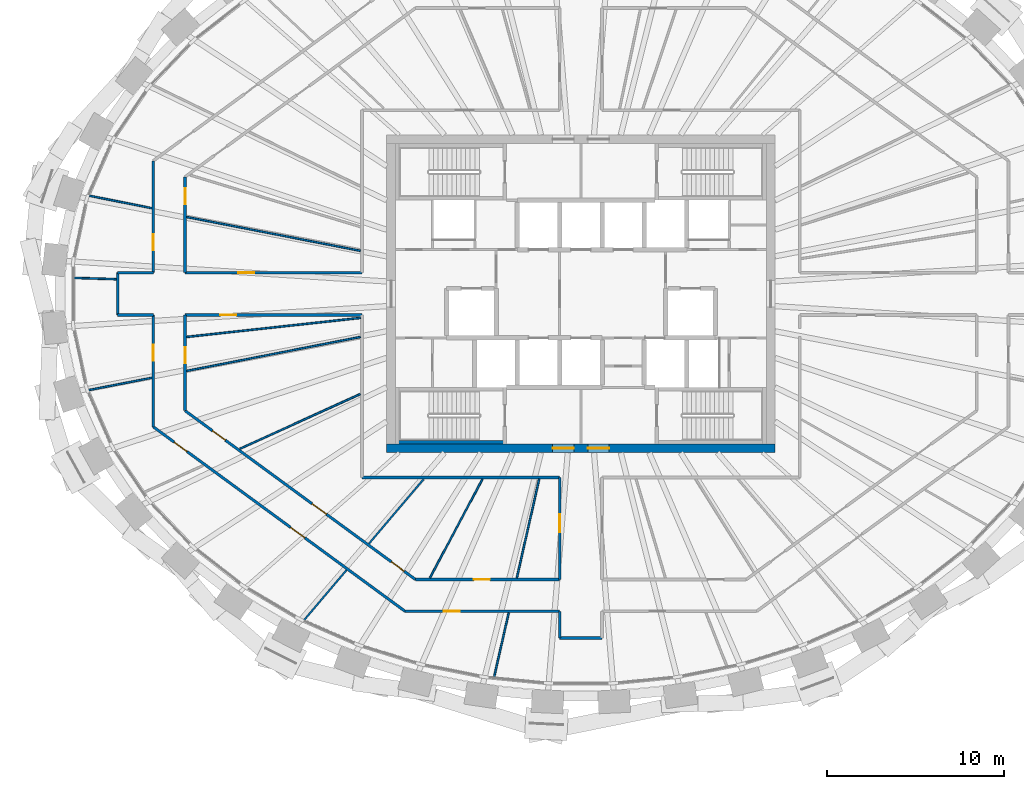
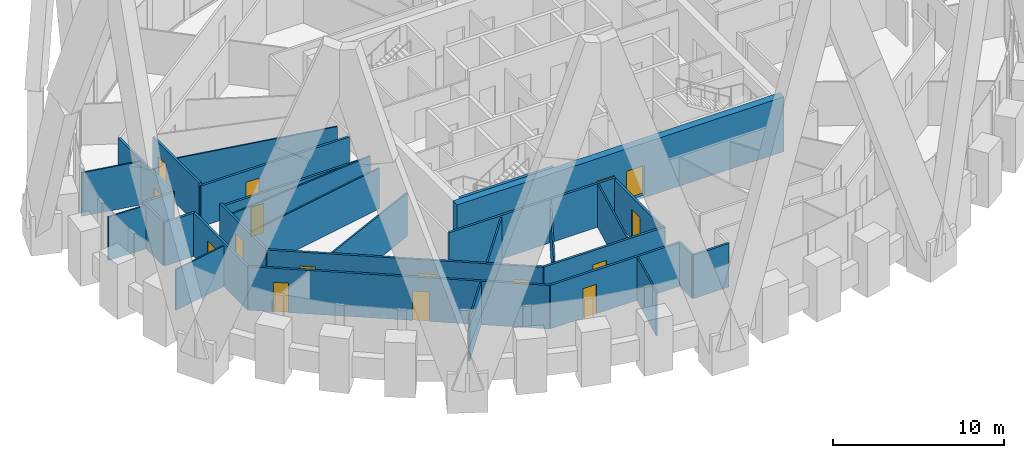
# One storey, part 7 of 13: 31 walls, 16 doors, 16 openings.
"""IFC4 building model written with IfcOpenShell, lengths in metres."""

from ifc_helpers import new_model, si_unit, direction, frame, frame_2d, origin, place, context, subcontext, project, spatial, rectangle, extrude, source, transform, mapped, material, layer, layer_set, type_object, element, fill, save


model = new_model("IFC4")

# Units and contexts
model_context = context("Model", 3, precision=1e-05, world=origin(), true_north=direction((0.0, 1.0)))
body_context = subcontext(model_context, "Body", "Model", "MODEL_VIEW")
ifc_project = project(units=[si_unit("LENGTHUNIT", "METRE"), si_unit("AREAUNIT", "SQUARE_METRE"), si_unit("VOLUMEUNIT", "CUBIC_METRE"), si_unit("PLANEANGLEUNIT", "RADIAN"), si_unit("MASSUNIT", "GRAM", prefix="KILO")], contexts=[model_context])

# Site, building, storey
site_placement = place(None, origin())
site = spatial("IfcSite", under=ifc_project, at=site_placement, CompositionType="ELEMENT")
building_placement = place(site_placement, origin())
building = spatial("IfcBuilding", under=site, at=building_placement, Name="Embergate Tower", CompositionType="ELEMENT")
storey_placement = place(building_placement, frame((0.0, 0.0, 316.89990234375)))
storey = spatial("IfcBuildingStorey", under=building, at=storey_placement, Name="L74", CompositionType="ELEMENT", Elevation=316.89990234375)

# Wall, openings, doors
ifc_material_1 = material(Name="Concrete C50", Category="concrete")
ifc_layer_1 = layer(ifc_material_1, 0.5)
ifc_layer_set_1 = layer_set([ifc_layer_1], Name="Concrete C50")
wall_type_1 = type_object("IfcWallType", Name="Core outer wall C50 500", PredefinedType="SHEAR", material=ifc_layer_set_1)
shared_shape_1 = source(origin(), body_context, "Body", "SweptSolid", [
    extrude(rectangle(XDim=22.0, YDim=0.5, at=frame_2d((11.0, 0.0))), origin(), (0.0, 0.0, 1.0), 3.900146484375),
])
wall_1_placement = place(storey_placement, frame((-11.0, -8.75, -0.199951171875), z_axis=(0.0, 0.0, 1.0), x_axis=(1.0, 0.0, 0.0)))
wall_1 = element("IfcWall", 1, at=wall_1_placement, inside=storey, type_object=wall_type_1, Name="CW-L74-S", PredefinedType="SHEAR", context=body_context, shape_type="MappedRepresentation", body=[
    mapped(shared_shape_1, transform((0.0, 0.0, 0.0))),
])
shared_shape_2 = source(origin(), body_context, "Body", "SweptSolid", [
    extrude(rectangle(XDim=1.199951171875, YDim=2.10009765625, at=frame_2d((0.60009765625, 1.050048828125))), frame((0.0, 0.260009765625, 0.0), z_axis=(0.0, -1.0, 0.0), x_axis=(1.0, 0.0, 0.0)), (0.0, 0.0, 1.0), 0.52001953125),
])
opening_1_placement = place(wall_1_placement, frame((9.39990234375, 0.0, 0.199951171875)))
opening_1 = element("IfcOpeningElement", 2, at=opening_1_placement, cuts=wall_1, Name="Opening IF-1", PredefinedType="OPENING", context=body_context, shape_type="MappedRepresentation", body=[
    mapped(shared_shape_2, transform((0.0, 0.0, 0.0))),
])
opening_2_placement = place(wall_1_placement, frame((11.39990234375, 0.0, 0.199951171875)))
opening_2 = element("IfcOpeningElement", 3, at=opening_2_placement, cuts=wall_1, Name="Opening IF-1", PredefinedType="OPENING", context=body_context, shape_type="MappedRepresentation", body=[
    mapped(shared_shape_2, transform((0.0, 0.0, 0.0))),
])
ifc_material_2 = material(Name="Escape fire door 1200")
door_type_1 = type_object("IfcDoorType", Name="Escape fire door 1200", OperationType="SINGLE_SWING_LEFT", PredefinedType="DOOR", material=ifc_material_2)
shared_shape_3 = source(origin(), body_context, "Body", "SweptSolid", [
    extrude(rectangle(XDim=1.199951171875, YDim=2.10009765625, at=frame_2d((0.60009765625, 1.050048828125))), frame((0.0, 0.02490234375, 0.0), z_axis=(0.0, -1.0, 0.0), x_axis=(1.0, 0.0, 0.0)), (0.0, 0.0, 1.0), 0.050048828125),
])
door_1_placement = place(opening_1_placement, origin())
door_1 = element("IfcDoor", 4, at=door_1_placement, inside=storey, type_object=door_type_1, Name="IF-1 door", OperationType="SINGLE_SWING_LEFT", OverallHeight=2.10009765625, OverallWidth=1.199951171875, PredefinedType="DOOR", context=body_context, shape_type="MappedRepresentation", body=[
    mapped(shared_shape_3, transform((0.0, 0.0, 0.0))),
])
fill(opening_1, door_1)
door_2_placement = place(opening_2_placement, origin())
door_2 = element("IfcDoor", 5, at=door_2_placement, inside=storey, type_object=door_type_1, Name="IF-1 door", OperationType="SINGLE_SWING_LEFT", OverallHeight=2.10009765625, OverallWidth=1.199951171875, PredefinedType="DOOR", context=body_context, shape_type="MappedRepresentation", body=[
    mapped(shared_shape_3, transform((0.0, 0.0, 0.0))),
])
fill(opening_2, door_2)

# Walls
ifc_material_3 = material(Name="Corridor wall dry-lined 150")
ifc_layer_2 = layer(ifc_material_3, 0.14990234375)
ifc_layer_set_2 = layer_set([ifc_layer_2], Name="Corridor wall dry-lined 150")
wall_type_2 = type_object("IfcWallType", Name="Corridor wall dry-lined 150", PredefinedType="PARTITIONING", material=ifc_layer_set_2)
shared_shape_4 = source(origin(), body_context, "Body", "SweptSolid", [
    extrude(rectangle(XDim=11.199951171875, YDim=0.14990234375, at=frame_2d((5.60009765625, 0.0))), origin(), (0.0, 0.0, 1.0), 3.10009765625),
])
wall_2_placement = place(storey_placement, frame((-1.199951171875, -10.39990234375, 0.0), z_axis=(0.0, 0.0, 1.0), x_axis=(-1.0, 0.0, 0.0)))
element("IfcWall", 6, at=wall_2_placement, inside=storey, type_object=wall_type_2, Name="IP-2 wall", PredefinedType="PARTITIONING", context=body_context, shape_type="MappedRepresentation", body=[
    mapped(shared_shape_4, transform((0.0, 0.0, 0.0))),
])
shared_shape_5 = source(origin(), body_context, "Body", "SweptSolid", [
    extrude(rectangle(XDim=2.39990234375, YDim=0.14990234375, at=frame_2d((1.199951171875, 0.0))), origin(), (0.0, 0.0, 1.0), 3.10009765625),
])
wall_3_placement = place(storey_placement, frame((1.199951171875, -19.490966796875, 0.0), z_axis=(0.0, 0.0, 1.0), x_axis=(-1.0, 0.0, 0.0)))
element("IfcWall", 7, at=wall_3_placement, inside=storey, type_object=wall_type_2, Name="IP-2 wall", PredefinedType="PARTITIONING", context=body_context, shape_type="MappedRepresentation", body=[
    mapped(shared_shape_5, transform((0.0, 0.0, 0.0))),
])
ifc_material_4 = material(Name="Corridor wall dry-lined 150 wet")
ifc_layer_3 = layer(ifc_material_4, 0.14990234375)
ifc_layer_set_3 = layer_set([ifc_layer_3], Name="Corridor wall dry-lined 150 wet")
wall_type_3 = type_object("IfcWallType", Name="Corridor wall dry-lined 150 wet", PredefinedType="PLUMBINGWALL", material=ifc_layer_set_3)
wall_4_placement = place(storey_placement, frame((-26.238037109375, -1.199951171875, 0.0), z_axis=(0.0, 0.0, 1.0), x_axis=(0.0, 1.0, 0.0)))
element("IfcWall", 8, at=wall_4_placement, inside=storey, type_object=wall_type_3, Name="IP-2 wall", PredefinedType="PLUMBINGWALL", context=body_context, shape_type="MappedRepresentation", body=[
    mapped(shared_shape_5, transform((0.0, 0.0, 0.0))),
])
ifc_layer_4 = layer(ifc_material_1, 0.199951171875)
ifc_layer_set_4 = layer_set([ifc_layer_4], Name="Concrete C50")
wall_type_4 = type_object("IfcWallType", Name="Stair enclosure wall reinforced concrete 250", PredefinedType="SHEAR", material=ifc_layer_set_4)
shared_shape_6 = source(origin(), body_context, "Body", "SweptSolid", [
    extrude(rectangle(XDim=6.298095703125, YDim=0.199951171875, at=frame_2d((3.14892578125, 0.0))), origin(), (0.0, 0.0, 1.0), 3.7001953125),
])
wall_5_placement = place(storey_placement, frame((-10.5, -8.39990234375, 0.0), z_axis=(0.0, 0.0, 1.0), x_axis=(1.0, 0.0, 0.0)))
element("IfcWall", 9, at=wall_5_placement, inside=storey, type_object=wall_type_4, Name="SE-1 wall", PredefinedType="SHEAR", context=body_context, shape_type="MappedRepresentation", body=[
    mapped(shared_shape_6, transform((0.0, 0.0, 0.0))),
])

# Wall, openings, doors
shared_shape_7 = source(origin(), body_context, "Body", "SweptSolid", [
    extrude(rectangle(XDim=17.682373046875, YDim=0.14990234375, at=frame_2d((8.84130859375, 0.0))), origin(), (0.0, 0.0, 1.0), 3.10009765625),
])
wall_6_placement = place(storey_placement, frame((-9.952880859375, -17.98291015625, 0.0), z_axis=(0.0, 0.0, 1.0), x_axis=(-0.806686271558, 0.590979914447, 0.0)))
wall_6 = element("IfcWall", 10, at=wall_6_placement, inside=storey, type_object=wall_type_2, Name="IP-2 wall", PredefinedType="PARTITIONING", context=body_context, shape_type="MappedRepresentation", body=[
    mapped(shared_shape_7, transform((0.0, 0.0, 0.0))),
])
shared_shape_8 = source(origin(), body_context, "Body", "SweptSolid", [
    extrude(rectangle(XDim=0.89990234375, YDim=2.10009765625, at=frame_2d((0.449951171875, 1.050048828125))), frame((0.0, 0.0849609375, 0.0), z_axis=(0.0, -1.0, 0.0), x_axis=(1.0, 0.0, 0.0)), (0.0, 0.0, 1.0), 0.169921875),
])
opening_3_placement = place(wall_6_placement, frame((15.3125, 0.0, 0.0)))
opening_3 = element("IfcOpeningElement", 11, at=opening_3_placement, cuts=wall_6, Name="Opening IF-1c", PredefinedType="OPENING", context=body_context, shape_type="MappedRepresentation", body=[
    mapped(shared_shape_8, transform((0.0, 0.0, 0.0))),
])
shared_shape_9 = source(origin(), body_context, "Body", "SweptSolid", [
    extrude(rectangle(XDim=1.0, YDim=2.10009765625, at=frame_2d((0.5, 1.050048828125))), frame((0.0, 0.0849609375, 0.0), z_axis=(0.0, -1.0, 0.0), x_axis=(1.0, 0.0, 0.0)), (0.0, 0.0, 1.0), 0.169921875),
])
opening_4_placement = place(wall_6_placement, frame((7.041748046875, 0.0, 0.0)))
opening_4 = element("IfcOpeningElement", 12, at=opening_4_placement, cuts=wall_6, Name="Opening ID-2", PredefinedType="OPENING", context=body_context, shape_type="MappedRepresentation", body=[
    mapped(shared_shape_9, transform((0.0, 0.0, 0.0))),
])
ifc_material_5 = material(Name="Escape fire door 900")
door_type_2 = type_object("IfcDoorType", Name="Escape fire door 900", OperationType="SINGLE_SWING_LEFT", PredefinedType="DOOR", material=ifc_material_5)
shared_shape_10 = source(origin(), body_context, "Body", "SweptSolid", [
    extrude(rectangle(XDim=0.89990234375, YDim=2.10009765625, at=frame_2d((0.449951171875, 1.050048828125))), frame((0.0, 0.02490234375, 0.0), z_axis=(0.0, -1.0, 0.0), x_axis=(1.0, 0.0, 0.0)), (0.0, 0.0, 1.0), 0.050048828125),
])
door_3_placement = place(opening_3_placement, origin())
door_3 = element("IfcDoor", 13, at=door_3_placement, inside=storey, type_object=door_type_2, Name="IF-1 door", OperationType="SINGLE_SWING_RIGHT", OverallHeight=2.10009765625, OverallWidth=0.89990234375, PredefinedType="DOOR", context=body_context, shape_type="MappedRepresentation", body=[
    mapped(shared_shape_10, transform((0.0, 0.0, 0.0))),
])
fill(opening_3, door_3)
ifc_material_6 = material(Name="Interior door 1000")
door_type_3 = type_object("IfcDoorType", Name="Interior door 1000", OperationType="SINGLE_SWING_LEFT", PredefinedType="DOOR", material=ifc_material_6)
shared_shape_11 = source(origin(), body_context, "Body", "SweptSolid", [
    extrude(rectangle(XDim=1.0, YDim=2.10009765625, at=frame_2d((0.5, 1.050048828125))), frame((0.0, 0.02490234375, 0.0), z_axis=(0.0, -1.0, 0.0), x_axis=(1.0, 0.0, 0.0)), (0.0, 0.0, 1.0), 0.050048828125),
])
door_4_placement = place(opening_4_placement, origin())
door_4 = element("IfcDoor", 14, at=door_4_placement, inside=storey, type_object=door_type_3, Name="ID-2 door", OperationType="SINGLE_SWING_RIGHT", OverallHeight=2.10009765625, OverallWidth=1.0, PredefinedType="DOOR", context=body_context, shape_type="MappedRepresentation", body=[
    mapped(shared_shape_11, transform((0.0, 0.0, 0.0))),
])
fill(opening_4, door_4)

# Wall, opening, door
shared_shape_12 = source(origin(), body_context, "Body", "SweptSolid", [
    extrude(rectangle(XDim=6.3330078125, YDim=0.14990234375, at=frame_2d((3.16650390625, 0.0))), origin(), (0.0, 0.0, 1.0), 3.10009765625),
])
wall_7_placement = place(storey_placement, frame((-24.217041015625, -7.532958984375, 0.0), z_axis=(0.0, 0.0, 1.0), x_axis=(0.0, 1.0, 0.0)))
wall_7 = element("IfcWall", 15, at=wall_7_placement, inside=storey, type_object=wall_type_2, Name="IP-2 wall", PredefinedType="PARTITIONING", context=body_context, shape_type="MappedRepresentation", body=[
    mapped(shared_shape_12, transform((0.0, 0.0, 0.0))),
])
opening_5_placement = place(wall_7_placement, frame((3.74560546875, 0.0, 0.0)))
opening_5 = element("IfcOpeningElement", 16, at=opening_5_placement, cuts=wall_7, Name="Opening IF-1c", PredefinedType="OPENING", context=body_context, shape_type="MappedRepresentation", body=[
    mapped(shared_shape_8, transform((0.0, 0.0, 0.0))),
])
door_5_placement = place(opening_5_placement, origin())
door_5 = element("IfcDoor", 17, at=door_5_placement, inside=storey, type_object=door_type_2, Name="IF-1 door", OperationType="SINGLE_SWING_LEFT", OverallHeight=2.10009765625, OverallWidth=0.89990234375, PredefinedType="DOOR", context=body_context, shape_type="MappedRepresentation", body=[
    mapped(shared_shape_10, transform((0.0, 0.0, 0.0))),
])
fill(opening_5, door_5)

wall_8_placement = place(storey_placement, frame((-24.217041015625, 1.199951171875, 0.0), z_axis=(0.0, 0.0, 1.0), x_axis=(0.0, 1.0, 0.0)))
wall_8 = element("IfcWall", 18, at=wall_8_placement, inside=storey, type_object=wall_type_3, Name="IP-2 wall", PredefinedType="PLUMBINGWALL", context=body_context, shape_type="MappedRepresentation", body=[
    mapped(shared_shape_12, transform((0.0, 0.0, 0.0))),
])
opening_6_placement = place(wall_8_placement, frame((1.260009765625, 0.0, 0.0)))
opening_6 = element("IfcOpeningElement", 19, at=opening_6_placement, cuts=wall_8, Name="Opening IF-1c", PredefinedType="OPENING", context=body_context, shape_type="MappedRepresentation", body=[
    mapped(shared_shape_8, transform((0.0, 0.0, 0.0))),
])
door_6_placement = place(opening_6_placement, origin())
door_6 = element("IfcDoor", 20, at=door_6_placement, inside=storey, type_object=door_type_2, Name="IF-1 door", OperationType="SINGLE_SWING_LEFT", OverallHeight=2.10009765625, OverallWidth=0.89990234375, PredefinedType="DOOR", context=body_context, shape_type="MappedRepresentation", body=[
    mapped(shared_shape_10, transform((0.0, 0.0, 0.0))),
])
fill(opening_6, door_6)

shared_shape_13 = source(origin(), body_context, "Body", "SweptSolid", [
    extrude(rectangle(XDim=5.420166015625, YDim=0.14990234375, at=frame_2d((2.7099609375, 0.0))), origin(), (0.0, 0.0, 1.0), 3.10009765625),
])
wall_9_placement = place(storey_placement, frame((-22.4169921875, -1.199951171875, 0.0), z_axis=(0.0, 0.0, 1.0), x_axis=(0.0, -1.0, 0.0)))
wall_9 = element("IfcWall", 21, at=wall_9_placement, inside=storey, type_object=wall_type_2, Name="IP-2 wall", PredefinedType="PARTITIONING", context=body_context, shape_type="MappedRepresentation", body=[
    mapped(shared_shape_13, transform((0.0, 0.0, 0.0))),
])
opening_7_placement = place(wall_9_placement, frame((1.8349609375, 0.0, 0.0)))
opening_7 = element("IfcOpeningElement", 22, at=opening_7_placement, cuts=wall_9, Name="Opening IF-1c", PredefinedType="OPENING", context=body_context, shape_type="MappedRepresentation", body=[
    mapped(shared_shape_8, transform((0.0, 0.0, 0.0))),
])
door_7_placement = place(opening_7_placement, origin())
door_7 = element("IfcDoor", 23, at=door_7_placement, inside=storey, type_object=door_type_2, Name="IF-1 door", OperationType="SINGLE_SWING_RIGHT", OverallHeight=2.10009765625, OverallWidth=0.89990234375, PredefinedType="DOOR", context=body_context, shape_type="MappedRepresentation", body=[
    mapped(shared_shape_10, transform((0.0, 0.0, 0.0))),
])
fill(opening_7, door_7)

wall_10_placement = place(storey_placement, frame((-22.4169921875, 6.6201171875, 0.0), z_axis=(0.0, 0.0, 1.0), x_axis=(0.0, -1.0, 0.0)))
wall_10 = element("IfcWall", 24, at=wall_10_placement, inside=storey, type_object=wall_type_3, Name="IP-2 wall", PredefinedType="PLUMBINGWALL", context=body_context, shape_type="MappedRepresentation", body=[
    mapped(shared_shape_13, transform((0.0, 0.0, 0.0))),
])
opening_8_placement = place(wall_10_placement, frame((0.637939453125, 0.0, 0.0)))
opening_8 = element("IfcOpeningElement", 25, at=opening_8_placement, cuts=wall_10, Name="Opening IF-1c", PredefinedType="OPENING", context=body_context, shape_type="MappedRepresentation", body=[
    mapped(shared_shape_8, transform((0.0, 0.0, 0.0))),
])
door_8_placement = place(opening_8_placement, origin())
door_8 = element("IfcDoor", 26, at=door_8_placement, inside=storey, type_object=door_type_2, Name="IF-1 door", OperationType="SINGLE_SWING_RIGHT", OverallHeight=2.10009765625, OverallWidth=0.89990234375, PredefinedType="DOOR", context=body_context, shape_type="MappedRepresentation", body=[
    mapped(shared_shape_10, transform((0.0, 0.0, 0.0))),
])
fill(opening_8, door_8)

# Wall, openings, doors
shared_shape_14 = source(origin(), body_context, "Body", "SweptSolid", [
    extrude(rectangle(XDim=16.18115234375, YDim=0.14990234375, at=frame_2d((8.090576171875, 0.0))), origin(), (0.0, 0.0, 1.0), 3.10009765625),
])
wall_11_placement = place(storey_placement, frame((-22.4169921875, -6.6201171875, 0.0), z_axis=(0.0, 0.0, 1.0), x_axis=(0.80667592694, -0.590994034569, 0.0)))
wall_11 = element("IfcWall", 27, at=wall_11_placement, inside=storey, type_object=wall_type_2, Name="IP-2 wall", PredefinedType="PARTITIONING", context=body_context, shape_type="MappedRepresentation", body=[
    mapped(shared_shape_14, transform((0.0, 0.0, 0.0))),
])
opening_9_placement = place(wall_11_placement, frame((1.92529296875, 0.0, 0.0)))
opening_9 = element("IfcOpeningElement", 28, at=opening_9_placement, cuts=wall_11, Name="Opening IF-1c", PredefinedType="OPENING", context=body_context, shape_type="MappedRepresentation", body=[
    mapped(shared_shape_8, transform((0.0, 0.0, 0.0))),
])
opening_10_placement = place(wall_11_placement, frame((8.9140625, 0.0, 0.0)))
opening_10 = element("IfcOpeningElement", 29, at=opening_10_placement, cuts=wall_11, Name="Opening ID-2", PredefinedType="OPENING", context=body_context, shape_type="MappedRepresentation", body=[
    mapped(shared_shape_9, transform((0.0, 0.0, 0.0))),
])
opening_11_placement = place(wall_11_placement, frame((14.485595703125, 0.0, 0.0)))
opening_11 = element("IfcOpeningElement", 30, at=opening_11_placement, cuts=wall_11, Name="Opening IF-1c", PredefinedType="OPENING", context=body_context, shape_type="MappedRepresentation", body=[
    mapped(shared_shape_8, transform((0.0, 0.0, 0.0))),
])
door_9_placement = place(opening_9_placement, origin())
door_9 = element("IfcDoor", 31, at=door_9_placement, inside=storey, type_object=door_type_2, Name="IF-1 door", OperationType="SINGLE_SWING_RIGHT", OverallHeight=2.10009765625, OverallWidth=0.89990234375, PredefinedType="DOOR", context=body_context, shape_type="MappedRepresentation", body=[
    mapped(shared_shape_10, transform((0.0, 0.0, 0.0))),
])
fill(opening_9, door_9)
door_10_placement = place(opening_11_placement, origin())
door_10 = element("IfcDoor", 32, at=door_10_placement, inside=storey, type_object=door_type_2, Name="IF-1 door", OperationType="SINGLE_SWING_RIGHT", OverallHeight=2.10009765625, OverallWidth=0.89990234375, PredefinedType="DOOR", context=body_context, shape_type="MappedRepresentation", body=[
    mapped(shared_shape_10, transform((0.0, 0.0, 0.0))),
])
fill(opening_11, door_10)
door_11_placement = place(opening_10_placement, origin())
door_11 = element("IfcDoor", 33, at=door_11_placement, inside=storey, type_object=door_type_3, Name="ID-2 door", OperationType="SINGLE_SWING_LEFT", OverallHeight=2.10009765625, OverallWidth=1.0, PredefinedType="DOOR", context=body_context, shape_type="MappedRepresentation", body=[
    mapped(shared_shape_11, transform((0.0, 0.0, 0.0))),
])
fill(opening_10, door_11)

# Wall, opening, door
shared_shape_15 = source(origin(), body_context, "Body", "SweptSolid", [
    extrude(rectangle(XDim=8.7529296875, YDim=0.14990234375, at=frame_2d((4.37646484375, 0.0))), origin(), (0.0, 0.0, 1.0), 3.10009765625),
])
wall_12_placement = place(storey_placement, frame((-1.199951171875, -17.98291015625, 0.0), z_axis=(0.0, 0.0, 1.0), x_axis=(-1.0, 0.0, 0.0)))
wall_12 = element("IfcWall", 34, at=wall_12_placement, inside=storey, type_object=wall_type_2, Name="IP-2 wall", PredefinedType="PARTITIONING", context=body_context, shape_type="MappedRepresentation", body=[
    mapped(shared_shape_15, transform((0.0, 0.0, 0.0))),
])
opening_12_placement = place(wall_12_placement, frame((5.66796875, 0.0, 0.0)))
opening_12 = element("IfcOpeningElement", 35, at=opening_12_placement, cuts=wall_12, Name="Opening IF-1c", PredefinedType="OPENING", context=body_context, shape_type="MappedRepresentation", body=[
    mapped(shared_shape_8, transform((0.0, 0.0, 0.0))),
])
door_12_placement = place(opening_12_placement, origin())
door_12 = element("IfcDoor", 36, at=door_12_placement, inside=storey, type_object=door_type_2, Name="IF-1 door", OperationType="SINGLE_SWING_LEFT", OverallHeight=2.10009765625, OverallWidth=0.89990234375, PredefinedType="DOOR", context=body_context, shape_type="MappedRepresentation", body=[
    mapped(shared_shape_10, transform((0.0, 0.0, 0.0))),
])
fill(opening_12, door_12)

# Wall
shared_shape_16 = source(origin(), body_context, "Body", "SweptSolid", [
    extrude(rectangle(XDim=1.508056640625, YDim=0.14990234375, at=frame_2d((0.75390625, 0.0))), origin(), (0.0, 0.0, 1.0), 3.10009765625),
])
wall_13_placement = place(storey_placement, frame((-1.199951171875, -19.490966796875, 0.0), z_axis=(0.0, 0.0, 1.0), x_axis=(0.0, 1.0, 0.0)))
element("IfcWall", 37, at=wall_13_placement, inside=storey, type_object=wall_type_2, Name="IP-2 wall", PredefinedType="PARTITIONING", context=body_context, shape_type="MappedRepresentation", body=[
    mapped(shared_shape_16, transform((0.0, 0.0, 0.0))),
])

# Wall, opening, door
shared_shape_17 = source(origin(), body_context, "Body", "SweptSolid", [
    extrude(rectangle(XDim=8.1640625, YDim=0.14990234375, at=frame_2d((4.08203125, 0.0))), origin(), (0.0, 0.0, 1.0), 3.10009765625),
])
wall_14_placement = place(storey_placement, frame((-9.364013671875, -16.18310546875, 0.0), z_axis=(0.0, 0.0, 1.0), x_axis=(1.0, 0.0, 0.0)))
wall_14 = element("IfcWall", 38, at=wall_14_placement, inside=storey, type_object=wall_type_2, Name="IP-2 wall", PredefinedType="PARTITIONING", context=body_context, shape_type="MappedRepresentation", body=[
    mapped(shared_shape_17, transform((0.0, 0.0, 0.0))),
])
opening_13_placement = place(wall_14_placement, frame((3.309814453125, 0.0, 0.0)))
opening_13 = element("IfcOpeningElement", 39, at=opening_13_placement, cuts=wall_14, Name="Opening IF-1c", PredefinedType="OPENING", context=body_context, shape_type="MappedRepresentation", body=[
    mapped(shared_shape_8, transform((0.0, 0.0, 0.0))),
])
door_13_placement = place(opening_13_placement, origin())
door_13 = element("IfcDoor", 40, at=door_13_placement, inside=storey, type_object=door_type_2, Name="IF-1 door", OperationType="SINGLE_SWING_RIGHT", OverallHeight=2.10009765625, OverallWidth=0.89990234375, PredefinedType="DOOR", context=body_context, shape_type="MappedRepresentation", body=[
    mapped(shared_shape_10, transform((0.0, 0.0, 0.0))),
])
fill(opening_13, door_13)

shared_shape_18 = source(origin(), body_context, "Body", "SweptSolid", [
    extrude(rectangle(XDim=5.783203125, YDim=0.14990234375, at=frame_2d((2.8916015625, 0.0))), origin(), (0.0, 0.0, 1.0), 3.0),
])
wall_15_placement = place(storey_placement, frame((-1.199951171875, -16.18310546875, 0.0), z_axis=(0.0, 0.0, 1.0), x_axis=(0.0, 1.0, 0.0)))
wall_15 = element("IfcWall", 41, at=wall_15_placement, inside=storey, type_object=wall_type_2, Name="IP-2 wall", PredefinedType="PARTITIONING", context=body_context, shape_type="MappedRepresentation", body=[
    mapped(shared_shape_18, transform((0.0, 0.0, 0.0))),
])
opening_14_placement = place(wall_15_placement, frame((2.6845703125, 0.0, 0.0)))
opening_14 = element("IfcOpeningElement", 42, at=opening_14_placement, cuts=wall_15, Name="Opening ID-2", PredefinedType="OPENING", context=body_context, shape_type="MappedRepresentation", body=[
    mapped(shared_shape_9, transform((0.0, 0.0, 0.0))),
])
door_14_placement = place(opening_14_placement, origin())
door_14 = element("IfcDoor", 43, at=door_14_placement, inside=storey, type_object=door_type_3, Name="ID-2 door", OperationType="SINGLE_SWING_LEFT", OverallHeight=2.10009765625, OverallWidth=1.0, PredefinedType="DOOR", context=body_context, shape_type="MappedRepresentation", body=[
    mapped(shared_shape_11, transform((0.0, 0.0, 0.0))),
])
fill(opening_14, door_14)

# Walls
shared_shape_19 = source(origin(), body_context, "Body", "SweptSolid", [
    extrude(rectangle(XDim=2.02099609375, YDim=0.14990234375, at=frame_2d((1.010498046875, 0.0))), origin(), (0.0, 0.0, 1.0), 3.10009765625),
])
for number, where, z_axis, x_axis, name in (
    (44, (-26.238037109375, 1.199951171875, 0.0), (0.0, 0.0, 1.0), (1.0, 0.0, 0.0), "IP-2 wall"),
    (45, (-24.217041015625, -1.199951171875, 0.0), (0.0, 0.0, 1.0), (-1.0, 0.0, 0.0), "IP-2 wall"),
):
    element("IfcWall", number, at=place(storey_placement, frame(where, z_axis=z_axis, x_axis=x_axis)), inside=storey, type_object=wall_type_3, Name=name, PredefinedType="PLUMBINGWALL", context=body_context, shape_type="MappedRepresentation", body=[
        mapped(shared_shape_19, transform((0.0, 0.0, 0.0))),
    ])

# Wall, opening, door
shared_shape_20 = source(origin(), body_context, "Body", "SweptSolid", [
    extrude(rectangle(XDim=10.01708984375, YDim=0.14990234375, at=frame_2d((5.008544921875, 0.0))), origin(), (0.0, 0.0, 1.0), 2.900146484375),
])
wall_16_placement = place(storey_placement, frame((-12.39990234375, -1.199951171875, 0.0), z_axis=(0.0, 0.0, 1.0), x_axis=(-1.0, 0.0, 0.0)))
wall_16 = element("IfcWall", 46, at=wall_16_placement, inside=storey, type_object=wall_type_3, Name="IP-2 wall", PredefinedType="PLUMBINGWALL", context=body_context, shape_type="MappedRepresentation", body=[
    mapped(shared_shape_20, transform((0.0, 0.0, 0.0))),
])
opening_15_placement = place(wall_16_placement, frame((7.113037109375, 0.0, 0.0)))
opening_15 = element("IfcOpeningElement", 47, at=opening_15_placement, cuts=wall_16, Name="Opening IF-1c", PredefinedType="OPENING", context=body_context, shape_type="MappedRepresentation", body=[
    mapped(shared_shape_8, transform((0.0, 0.0, 0.0))),
])
door_15_placement = place(opening_15_placement, origin())
door_15 = element("IfcDoor", 48, at=door_15_placement, inside=storey, type_object=door_type_2, Name="IF-1 door", OperationType="SINGLE_SWING_LEFT", OverallHeight=2.10009765625, OverallWidth=0.89990234375, PredefinedType="DOOR", context=body_context, shape_type="MappedRepresentation", body=[
    mapped(shared_shape_10, transform((0.0, 0.0, 0.0))),
])
fill(opening_15, door_15)

wall_17_placement = place(storey_placement, frame((-22.4169921875, 1.199951171875, 0.0), z_axis=(0.0, 0.0, 1.0), x_axis=(1.0, 0.0, 0.0)))
wall_17 = element("IfcWall", 49, at=wall_17_placement, inside=storey, type_object=wall_type_3, Name="IP-2 wall", PredefinedType="PLUMBINGWALL", context=body_context, shape_type="MappedRepresentation", body=[
    mapped(shared_shape_20, transform((0.0, 0.0, 0.0))),
])
opening_16_placement = place(wall_17_placement, frame((3.02587890625, 0.0, 0.0)))
opening_16 = element("IfcOpeningElement", 50, at=opening_16_placement, cuts=wall_17, Name="Opening IF-1c", PredefinedType="OPENING", context=body_context, shape_type="MappedRepresentation", body=[
    mapped(shared_shape_8, transform((0.0, 0.0, 0.0))),
])
door_16_placement = place(opening_16_placement, origin())
door_16 = element("IfcDoor", 51, at=door_16_placement, inside=storey, type_object=door_type_2, Name="IF-1 door", OperationType="SINGLE_SWING_RIGHT", OverallHeight=2.10009765625, OverallWidth=0.89990234375, PredefinedType="DOOR", context=body_context, shape_type="MappedRepresentation", body=[
    mapped(shared_shape_10, transform((0.0, 0.0, 0.0))),
])
fill(opening_16, door_16)

# Walls
ifc_material_7 = material(Name="Partition dry-lined 100 wet")
ifc_layer_5 = layer(ifc_material_7, 0.10009765625)
ifc_layer_set_5 = layer_set([ifc_layer_5], Name="Partition dry-lined 100 wet")
wall_type_5 = type_object("IfcWallType", Name="Partition dry-lined 100 wet", PredefinedType="PLUMBINGWALL", material=ifc_layer_set_5)
shared_shape_21 = source(origin(), body_context, "Body", "SweptSolid", [
    extrude(rectangle(XDim=3.702880859375, YDim=0.10009765625, at=frame_2d((1.8515625, 0.0))), origin(), (0.0, 0.0, 1.0), 2.900146484375),
])
wall_18_placement = place(storey_placement, frame((-24.302001953125, -4.757080078125, 0.0), z_axis=(0.0, 0.0, 1.0), x_axis=(-0.981396165862, -0.191993660396, 0.0)))
element("IfcWall", 52, at=wall_18_placement, inside=storey, type_object=wall_type_5, Name="IP-1 wall", PredefinedType="PLUMBINGWALL", context=body_context, shape_type="MappedRepresentation", body=[
    mapped(shared_shape_21, transform((0.0, 0.0, 0.0))),
])
ifc_material_8 = material(Name="Partition dry-lined 100")
ifc_layer_6 = layer(ifc_material_8, 0.10009765625)
ifc_layer_set_6 = layer_set([ifc_layer_6], Name="Partition dry-lined 100")
wall_type_6 = type_object("IfcWallType", Name="Partition dry-lined 100", PredefinedType="PARTITIONING", material=ifc_layer_set_6)
shared_shape_22 = source(origin(), body_context, "Body", "SweptSolid", [
    extrude(rectangle(XDim=3.768798828125, YDim=0.10009765625, at=frame_2d((1.88427734375, 0.0))), origin(), (0.0, 0.0, 1.0), 3.0),
])
wall_19_placement = place(storey_placement, frame((-13.27099609375, -15.64501953125, 0.0), z_axis=(0.0, 0.0, 1.0), x_axis=(-0.646888419483, -0.762584665948, 0.0)))
element("IfcWall", 53, at=wall_19_placement, inside=storey, type_object=wall_type_6, Name="IP-1 wall", PredefinedType="PARTITIONING", context=body_context, shape_type="MappedRepresentation", body=[
    mapped(shared_shape_22, transform((0.0, 0.0, 0.0))),
])
shared_shape_23 = source(origin(), body_context, "Body", "SweptSolid", [
    extrude(rectangle(XDim=7.48095703125, YDim=0.10009765625, at=frame_2d((3.740478515625, 0.0))), origin(), (0.0, 0.0, 1.0), 3.10009765625),
])
wall_20_placement = place(storey_placement, frame((-12.49609375, -5.679931640625, 0.0), z_axis=(0.0, 0.0, 1.0), x_axis=(-0.910408942423, -0.41370950866, 0.0)))
element("IfcWall", 54, at=wall_20_placement, inside=storey, type_object=wall_type_6, Name="IP-1 wall", PredefinedType="PARTITIONING", context=body_context, shape_type="MappedRepresentation", body=[
    mapped(shared_shape_23, transform((0.0, 0.0, 0.0))),
])
shared_shape_24 = source(origin(), body_context, "Body", "SweptSolid", [
    extrude(rectangle(XDim=10.03369140625, YDim=0.10009765625, at=frame_2d((5.016845703125, 0.0))), origin(), (0.0, 0.0, 1.0), 2.900146484375),
])
wall_21_placement = place(storey_placement, frame((-12.485107421875, -2.444091796875, 0.0), z_axis=(0.0, 0.0, 1.0), x_axis=(-0.981384580226, -0.192052872133, 0.0)))
element("IfcWall", 55, at=wall_21_placement, inside=storey, type_object=wall_type_5, Name="IP-1 wall", PredefinedType="PLUMBINGWALL", context=body_context, shape_type="MappedRepresentation", body=[
    mapped(shared_shape_24, transform((0.0, 0.0, 0.0))),
])
shared_shape_25 = source(origin(), body_context, "Body", "SweptSolid", [
    extrude(rectangle(XDim=4.78271484375, YDim=0.10009765625, at=frame_2d((2.391357421875, 0.0))), origin(), (0.0, 0.0, 1.0), 3.0),
])
wall_22_placement = place(storey_placement, frame((-8.9130859375, -10.507080078125, 0.0), z_axis=(0.0, 0.0, 1.0), x_axis=(-0.646708493857, -0.762737257496, 0.0)))
element("IfcWall", 56, at=wall_22_placement, inside=storey, type_object=wall_type_6, Name="IP-1 wall", PredefinedType="PARTITIONING", context=body_context, shape_type="MappedRepresentation", body=[
    mapped(shared_shape_25, transform((0.0, 0.0, 0.0))),
])
shared_shape_26 = source(origin(), body_context, "Body", "SweptSolid", [
    extrude(rectangle(XDim=3.784423828125, YDim=0.10009765625, at=frame_2d((1.89208984375, 0.0))), origin(), (0.0, 0.0, 1.0), 3.10009765625),
])
wall_23_placement = place(storey_placement, frame((-4.089111328125, -18.070068359375, 0.0), z_axis=(0.0, 0.0, 1.0), x_axis=(-0.220890492216, -0.97529861604, 0.0)))
element("IfcWall", 57, at=wall_23_placement, inside=storey, type_object=wall_type_6, Name="IP-1 wall", PredefinedType="PARTITIONING", context=body_context, shape_type="MappedRepresentation", body=[
    mapped(shared_shape_26, transform((0.0, 0.0, 0.0))),
])
shared_shape_27 = source(origin(), body_context, "Body", "SweptSolid", [
    extrude(rectangle(XDim=6.326416015625, YDim=0.10009765625, at=frame_2d((3.1630859375, 0.0))), origin(), (0.0, 0.0, 1.0), 3.10009765625),
])
wall_24_placement = place(storey_placement, frame((-5.576904296875, -10.498046875, 0.0), z_axis=(0.0, 0.0, 1.0), x_axis=(-0.469151463844, -0.883117718072, 0.0)))
element("IfcWall", 58, at=wall_24_placement, inside=storey, type_object=wall_type_6, Name="IP-1 wall", PredefinedType="PARTITIONING", context=body_context, shape_type="MappedRepresentation", body=[
    mapped(shared_shape_27, transform((0.0, 0.0, 0.0))),
])
shared_shape_28 = source(origin(), body_context, "Body", "SweptSolid", [
    extrude(rectangle(XDim=5.752685546875, YDim=0.10009765625, at=frame_2d((2.87646484375, 0.0))), origin(), (0.0, 0.0, 1.0), 3.10009765625),
])
wall_25_placement = place(storey_placement, frame((-2.362060546875, -10.486083984375, 0.0), z_axis=(0.0, 0.0, 1.0), x_axis=(-0.219881793904, -0.975526522812, 0.0)))
element("IfcWall", 59, at=wall_25_placement, inside=storey, type_object=wall_type_6, Name="IP-1 wall", PredefinedType="PARTITIONING", context=body_context, shape_type="MappedRepresentation", body=[
    mapped(shared_shape_28, transform((0.0, 0.0, 0.0))),
])
shared_shape_29 = source(origin(), body_context, "Body", "SweptSolid", [
    extrude(rectangle(XDim=3.6689453125, YDim=0.10009765625, at=frame_2d((1.83447265625, 0.0))), origin(), (0.0, 0.0, 1.0), 3.10009765625),
])
wall_26_placement = place(storey_placement, frame((-24.302001953125, 4.84912109375, 0.0), z_axis=(0.0, 0.0, 1.0), x_axis=(-0.980611374794, 0.195962577103, 0.0)))
element("IfcWall", 60, at=wall_26_placement, inside=storey, type_object=wall_type_5, Name="IP-1 wall", PredefinedType="PLUMBINGWALL", context=body_context, shape_type="MappedRepresentation", body=[
    mapped(shared_shape_29, transform((0.0, 0.0, 0.0))),
])
shared_shape_30 = source(origin(), body_context, "Body", "SweptSolid", [
    extrude(rectangle(XDim=2.4931640625, YDim=0.10009765625, at=frame_2d((1.24658203125, 0.0))), origin(), (0.0, 0.0, 1.0), 3.10009765625),
])
wall_27_placement = place(storey_placement, frame((-26.31298828125, 0.826904296875, 0.0), z_axis=(0.0, 0.0, 1.0), x_axis=(-0.999508918325, 0.031335637686, 0.0)))
element("IfcWall", 61, at=wall_27_placement, inside=storey, type_object=wall_type_5, Name="IP-1 wall", PredefinedType="PLUMBINGWALL", context=body_context, shape_type="MappedRepresentation", body=[
    mapped(shared_shape_30, transform((0.0, 0.0, 0.0))),
])
shared_shape_31 = source(origin(), body_context, "Body", "SweptSolid", [
    extrude(rectangle(XDim=9.914794921875, YDim=0.10009765625, at=frame_2d((4.95751953125, 0.0))), origin(), (0.0, 0.0, 1.0), 3.10009765625),
])
wall_28_placement = place(storey_placement, frame((-12.47998046875, -1.364990234375, 0.0), z_axis=(0.0, 0.0, 1.0), x_axis=(-0.994059626254, -0.108836847858, 0.0)))
element("IfcWall", 62, at=wall_28_placement, inside=storey, type_object=wall_type_5, Name="IP-1 wall", PredefinedType="PLUMBINGWALL", context=body_context, shape_type="MappedRepresentation", body=[
    mapped(shared_shape_31, transform((0.0, 0.0, 0.0))),
])
shared_shape_32 = source(origin(), body_context, "Body", "SweptSolid", [
    extrude(rectangle(XDim=10.0322265625, YDim=0.10009765625, at=frame_2d((5.01611328125, 0.0))), origin(), (0.0, 0.0, 1.0), 2.900146484375),
])
wall_29_placement = place(storey_placement, frame((-12.485107421875, 2.43310546875, 0.0), z_axis=(0.0, 0.0, 1.0), x_axis=(-0.981535638361, 0.19127935233, 0.0)))
element("IfcWall", 63, at=wall_29_placement, inside=storey, type_object=wall_type_5, Name="IP-1 wall", PredefinedType="PLUMBINGWALL", context=body_context, shape_type="MappedRepresentation", body=[
    mapped(shared_shape_32, transform((0.0, 0.0, 0.0))),
])

save(model, "model.ifc")
